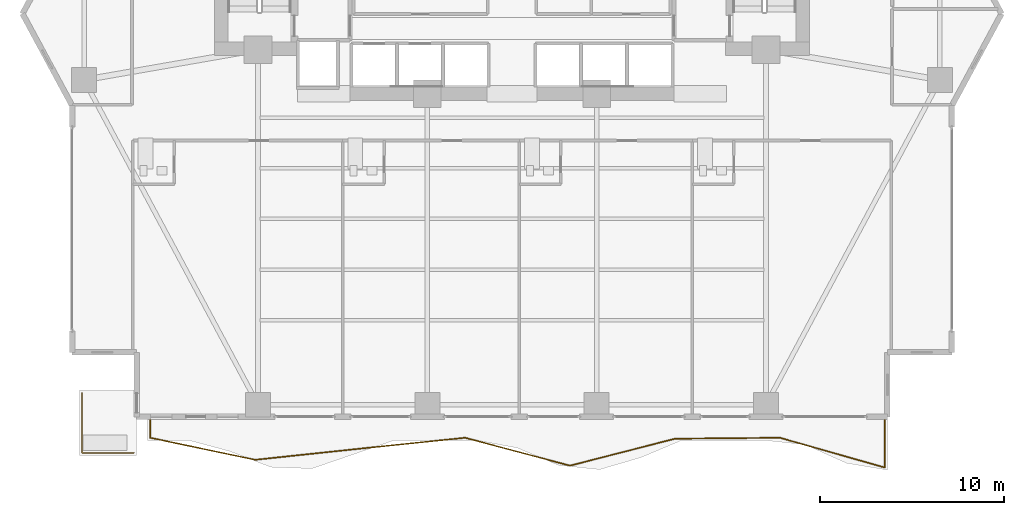
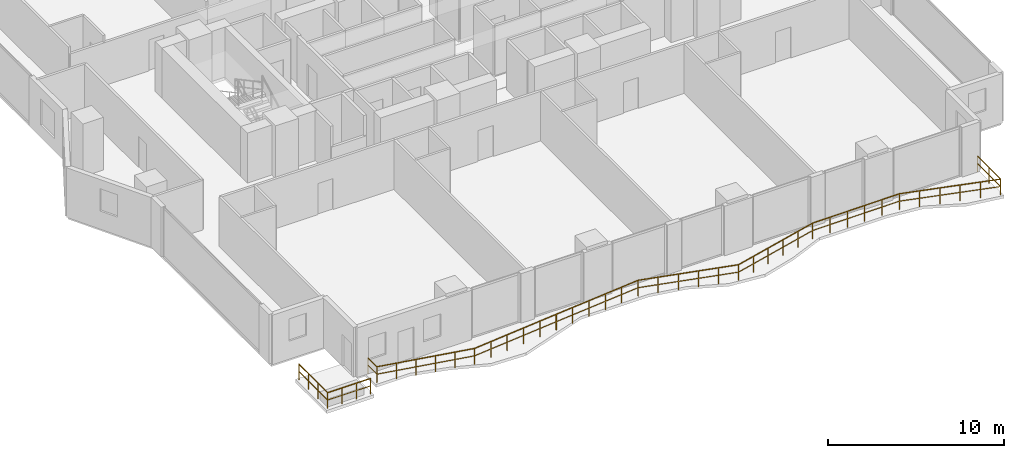
# One storey, part 25 of 28: 2 railings.
"""IFC4 building model written with IfcOpenShell, lengths in metres."""

from ifc_helpers import new_model, si_unit, direction, frame, origin, origin_2d, place, context, subcontext, project, spatial, rectangle, extrude, material, type_object, element, save


model = new_model("IFC4")

# Units and contexts
model_context = context("Model", 3, precision=1e-05, world=origin(), true_north=direction((0.0, 1.0)))
body_context = subcontext(model_context, "Body", "Model", "MODEL_VIEW")
ifc_project = project(units=[si_unit("LENGTHUNIT", "METRE"), si_unit("AREAUNIT", "SQUARE_METRE"), si_unit("VOLUMEUNIT", "CUBIC_METRE"), si_unit("PLANEANGLEUNIT", "RADIAN"), si_unit("MASSUNIT", "GRAM", prefix="KILO")], contexts=[model_context])

# Site, building, storey
site_placement = place(None, origin())
site = spatial("IfcSite", under=ifc_project, at=site_placement, CompositionType="ELEMENT")
building_placement = place(site_placement, origin())
building = spatial("IfcBuilding", under=site, at=building_placement, Name="Zuhayl Quay Hotel", CompositionType="ELEMENT")
storey_placement = place(building_placement, frame((0.0, 0.0, 121.199951171875)))
storey = spatial("IfcBuildingStorey", under=building, at=storey_placement, Name="L30", CompositionType="ELEMENT", Elevation=121.199951171875)

# Railings
ifc_material = material(Name="Anodised Aluminium and Laminated Glass", Category="aluminium")
railing_type = type_object("IfcRailingType", Name="RL_EXT_BAL_1100", PredefinedType="BALUSTRADE", material=ifc_material)
railing_1_placement = place(storey_placement, frame((-19.659912109375, -15.52001953125, 0.0)))
element("IfcRailing", 1, at=railing_1_placement, inside=storey, type_object=railing_type, Name="L30 Balcony and Terrace Guard GR_L30_BAL_S", PredefinedType="BALUSTRADE", context=body_context, shape_type="SweptSolid", body=[
    extrude(rectangle(XDim=0.048095703125, YDim=0.048095703125, at=origin_2d()), frame((0.0, 0.0, 1.09619140625), z_axis=(0.0, -1.0, 0.0), x_axis=(1.0, 0.0, 0.0)), (0.0, 0.0, 1.0), 1.02001953125),
    extrude(rectangle(XDim=0.0361328125, YDim=0.0361328125, at=origin_2d()), frame((0.0, 0.0, 0.58251953125), z_axis=(0.0, -1.0, 0.0), x_axis=(1.0, 0.0, 0.0)), (0.0, 0.0, 1.0), 1.02001953125),
    extrude(rectangle(XDim=0.048095703125, YDim=0.048095703125, at=origin_2d()), frame((0.0, -1.02001953125, 1.09619140625), z_axis=(0.978648356102, -0.205541711333, 0.0), x_axis=(0.205541711333, 0.978648356102, 0.0)), (0.0, 0.0, 1.0), 5.827392578125),
    extrude(rectangle(XDim=0.0361328125, YDim=0.0361328125, at=origin_2d()), frame((0.0, -1.02001953125, 0.58251953125), z_axis=(0.978648356102, -0.205541711333, 0.0), x_axis=(0.205541711333, 0.978648356102, 0.0)), (0.0, 0.0, 1.0), 5.827392578125),
    extrude(rectangle(XDim=0.048095703125, YDim=0.048095703125, at=origin_2d()), frame((5.702880859375, -2.2177734375, 1.09619140625), z_axis=(0.994401864138, 0.105664244661, 0.0), x_axis=(-0.105664244661, 0.994401864138, 0.0)), (0.0, 0.0, 1.0), 5.734619140625),
    extrude(rectangle(XDim=0.0361328125, YDim=0.0361328125, at=origin_2d()), frame((5.702880859375, -2.2177734375, 0.58251953125), z_axis=(0.994401864138, 0.105664244661, 0.0), x_axis=(-0.105664244661, 0.994401864138, 0.0)), (0.0, 0.0, 1.0), 5.734619140625),
    extrude(rectangle(XDim=0.048095703125, YDim=0.048095703125, at=origin_2d()), frame((11.405517578125, -1.61181640625, 1.09619140625), z_axis=(0.99465883003, 0.103217303994, 0.0), x_axis=(-0.103217303994, 0.99465883003, 0.0)), (0.0, 0.0, 1.0), 5.7333984375),
    extrude(rectangle(XDim=0.0361328125, YDim=0.0361328125, at=origin_2d()), frame((11.405517578125, -1.61181640625, 0.58251953125), z_axis=(0.99465883003, 0.103217303994, 0.0), x_axis=(-0.103217303994, 0.99465883003, 0.0)), (0.0, 0.0, 1.0), 5.7333984375),
    extrude(rectangle(XDim=0.048095703125, YDim=0.048095703125, at=origin_2d()), frame((17.1083984375, -1.02001953125, 1.09619140625), z_axis=(0.966461864669, -0.256810171411, 0.0), x_axis=(0.256810171411, 0.966461864669, 0.0)), (0.0, 0.0, 1.0), 5.90087890625),
    extrude(rectangle(XDim=0.0361328125, YDim=0.0361328125, at=origin_2d()), frame((17.1083984375, -1.02001953125, 0.58251953125), z_axis=(0.966461864669, -0.256810171411, 0.0), x_axis=(0.256810171411, 0.966461864669, 0.0)), (0.0, 0.0, 1.0), 5.90087890625),
    extrude(rectangle(XDim=0.048095703125, YDim=0.048095703125, at=origin_2d()), frame((22.811279296875, -2.535400390625, 1.09619140625), z_axis=(0.968628810221, 0.248512027897, 0.0), x_axis=(-0.248512027897, 0.968628810221, 0.0)), (0.0, 0.0, 1.0), 5.8876953125),
    extrude(rectangle(XDim=0.0361328125, YDim=0.0361328125, at=origin_2d()), frame((22.811279296875, -2.535400390625, 0.58251953125), z_axis=(0.968628810221, 0.248512027897, 0.0), x_axis=(-0.248512027897, 0.968628810221, 0.0)), (0.0, 0.0, 1.0), 5.8876953125),
    extrude(rectangle(XDim=0.048095703125, YDim=0.048095703125, at=origin_2d()), frame((28.51416015625, -1.072265625, 1.09619140625), z_axis=(0.999958037465, 0.009160966652, 0.0), x_axis=(-0.009160966652, 0.999958037465, 0.0)), (0.0, 0.0, 1.0), 5.703125),
    extrude(rectangle(XDim=0.0361328125, YDim=0.0361328125, at=origin_2d()), frame((28.51416015625, -1.072265625, 0.58251953125), z_axis=(0.999958037465, 0.009160966652, 0.0), x_axis=(-0.009160966652, 0.999958037465, 0.0)), (0.0, 0.0, 1.0), 5.703125),
    extrude(rectangle(XDim=0.048095703125, YDim=0.048095703125, at=origin_2d()), frame((34.217041015625, -1.02001953125, 1.09619140625), z_axis=(0.961957866491, -0.273197846068, 0.0), x_axis=(0.273197846068, 0.961957866491, 0.0)), (0.0, 0.0, 1.0), 5.928466796875),
    extrude(rectangle(XDim=0.0361328125, YDim=0.0361328125, at=origin_2d()), frame((34.217041015625, -1.02001953125, 0.58251953125), z_axis=(0.961957866491, -0.273197846068, 0.0), x_axis=(0.273197846068, 0.961957866491, 0.0)), (0.0, 0.0, 1.0), 5.928466796875),
    extrude(rectangle(XDim=0.048095703125, YDim=0.048095703125, at=origin_2d()), frame((39.919921875, -2.6396484375, 1.09619140625), z_axis=(0.0, 1.0, 0.0), x_axis=(-1.0, 0.0, 0.0)), (0.0, 0.0, 1.0), 2.6396484375),
    extrude(rectangle(XDim=0.0361328125, YDim=0.0361328125, at=origin_2d()), frame((39.919921875, -2.6396484375, 0.58251953125), z_axis=(0.0, 1.0, 0.0), x_axis=(-1.0, 0.0, 0.0)), (0.0, 0.0, 1.0), 2.6396484375),
    extrude(rectangle(XDim=0.0419921875, YDim=0.0419921875, at=origin_2d()), origin(), (0.0, 0.0, 1.0), 1.072021484375),
    extrude(rectangle(XDim=0.0419921875, YDim=0.0419921875, at=origin_2d()), frame((0.0, -1.02001953125, 0.0)), (0.0, 0.0, 1.0), 1.072021484375),
    extrude(rectangle(XDim=0.0419921875, YDim=0.0419921875, at=origin_2d()), frame((1.140625, -1.259521484375, 0.0)), (0.0, 0.0, 1.0), 1.072021484375),
    extrude(rectangle(XDim=0.0419921875, YDim=0.0419921875, at=origin_2d()), frame((2.28125, -1.4990234375, 0.0)), (0.0, 0.0, 1.0), 1.072021484375),
    extrude(rectangle(XDim=0.0419921875, YDim=0.0419921875, at=origin_2d()), frame((3.421630859375, -1.73876953125, 0.0)), (0.0, 0.0, 1.0), 1.072021484375),
    extrude(rectangle(XDim=0.0419921875, YDim=0.0419921875, at=origin_2d()), frame((4.562255859375, -1.978271484375, 0.0)), (0.0, 0.0, 1.0), 1.072021484375),
    extrude(rectangle(XDim=0.0419921875, YDim=0.0419921875, at=origin_2d()), frame((5.702880859375, -2.2177734375, 0.0)), (0.0, 0.0, 1.0), 1.072021484375),
    extrude(rectangle(XDim=0.0419921875, YDim=0.0419921875, at=origin_2d()), frame((6.843505859375, -2.0966796875, 0.0)), (0.0, 0.0, 1.0), 1.072021484375),
    extrude(rectangle(XDim=0.0419921875, YDim=0.0419921875, at=origin_2d()), frame((7.98388671875, -1.975341796875, 0.0)), (0.0, 0.0, 1.0), 1.072021484375),
    extrude(rectangle(XDim=0.0419921875, YDim=0.0419921875, at=origin_2d()), frame((9.12451171875, -1.854248046875, 0.0)), (0.0, 0.0, 1.0), 1.072021484375),
    extrude(rectangle(XDim=0.0419921875, YDim=0.0419921875, at=origin_2d()), frame((10.264892578125, -1.73291015625, 0.0)), (0.0, 0.0, 1.0), 1.072021484375),
    extrude(rectangle(XDim=0.0419921875, YDim=0.0419921875, at=origin_2d()), frame((11.405517578125, -1.61181640625, 0.0)), (0.0, 0.0, 1.0), 1.072021484375),
    extrude(rectangle(XDim=0.0419921875, YDim=0.0419921875, at=origin_2d()), frame((12.546142578125, -1.493408203125, 0.0)), (0.0, 0.0, 1.0), 1.072021484375),
    extrude(rectangle(XDim=0.0419921875, YDim=0.0419921875, at=origin_2d()), frame((13.686767578125, -1.375, 0.0)), (0.0, 0.0, 1.0), 1.072021484375),
    extrude(rectangle(XDim=0.0419921875, YDim=0.0419921875, at=origin_2d()), frame((14.8271484375, -1.2568359375, 0.0)), (0.0, 0.0, 1.0), 1.072021484375),
    extrude(rectangle(XDim=0.0419921875, YDim=0.0419921875, at=origin_2d()), frame((15.9677734375, -1.138427734375, 0.0)), (0.0, 0.0, 1.0), 1.072021484375),
    extrude(rectangle(XDim=0.0419921875, YDim=0.0419921875, at=origin_2d()), frame((17.1083984375, -1.02001953125, 0.0)), (0.0, 0.0, 1.0), 1.072021484375),
    extrude(rectangle(XDim=0.0419921875, YDim=0.0419921875, at=origin_2d()), frame((18.2490234375, -1.322998046875, 0.0)), (0.0, 0.0, 1.0), 1.072021484375),
    extrude(rectangle(XDim=0.0419921875, YDim=0.0419921875, at=origin_2d()), frame((19.3896484375, -1.626220703125, 0.0)), (0.0, 0.0, 1.0), 1.072021484375),
    extrude(rectangle(XDim=0.0419921875, YDim=0.0419921875, at=origin_2d()), frame((20.530029296875, -1.92919921875, 0.0)), (0.0, 0.0, 1.0), 1.072021484375),
    extrude(rectangle(XDim=0.0419921875, YDim=0.0419921875, at=origin_2d()), frame((21.670654296875, -2.232421875, 0.0)), (0.0, 0.0, 1.0), 1.072021484375),
    extrude(rectangle(XDim=0.0419921875, YDim=0.0419921875, at=origin_2d()), frame((22.811279296875, -2.535400390625, 0.0)), (0.0, 0.0, 1.0), 1.072021484375),
    extrude(rectangle(XDim=0.0419921875, YDim=0.0419921875, at=origin_2d()), frame((23.951904296875, -2.24267578125, 0.0)), (0.0, 0.0, 1.0), 1.072021484375),
    extrude(rectangle(XDim=0.0419921875, YDim=0.0419921875, at=origin_2d()), frame((25.092529296875, -1.9501953125, 0.0)), (0.0, 0.0, 1.0), 1.072021484375),
    extrude(rectangle(XDim=0.0419921875, YDim=0.0419921875, at=origin_2d()), frame((26.23291015625, -1.657470703125, 0.0)), (0.0, 0.0, 1.0), 1.072021484375),
    extrude(rectangle(XDim=0.0419921875, YDim=0.0419921875, at=origin_2d()), frame((27.37353515625, -1.364990234375, 0.0)), (0.0, 0.0, 1.0), 1.072021484375),
    extrude(rectangle(XDim=0.0419921875, YDim=0.0419921875, at=origin_2d()), frame((28.51416015625, -1.072265625, 0.0)), (0.0, 0.0, 1.0), 1.072021484375),
    extrude(rectangle(XDim=0.0419921875, YDim=0.0419921875, at=origin_2d()), frame((29.65478515625, -1.061767578125, 0.0)), (0.0, 0.0, 1.0), 1.072021484375),
    extrude(rectangle(XDim=0.0419921875, YDim=0.0419921875, at=origin_2d()), frame((30.79541015625, -1.05126953125, 0.0)), (0.0, 0.0, 1.0), 1.072021484375),
    extrude(rectangle(XDim=0.0419921875, YDim=0.0419921875, at=origin_2d()), frame((31.935791015625, -1.041015625, 0.0)), (0.0, 0.0, 1.0), 1.072021484375),
    extrude(rectangle(XDim=0.0419921875, YDim=0.0419921875, at=origin_2d()), frame((33.076416015625, -1.030517578125, 0.0)), (0.0, 0.0, 1.0), 1.072021484375),
    extrude(rectangle(XDim=0.0419921875, YDim=0.0419921875, at=origin_2d()), frame((34.217041015625, -1.02001953125, 0.0)), (0.0, 0.0, 1.0), 1.072021484375),
    extrude(rectangle(XDim=0.0419921875, YDim=0.0419921875, at=origin_2d()), frame((35.357666015625, -1.343994140625, 0.0)), (0.0, 0.0, 1.0), 1.072021484375),
    extrude(rectangle(XDim=0.0419921875, YDim=0.0419921875, at=origin_2d()), frame((36.498291015625, -1.66796875, 0.0)), (0.0, 0.0, 1.0), 1.072021484375),
    extrude(rectangle(XDim=0.0419921875, YDim=0.0419921875, at=origin_2d()), frame((37.638671875, -1.99169921875, 0.0)), (0.0, 0.0, 1.0), 1.072021484375),
    extrude(rectangle(XDim=0.0419921875, YDim=0.0419921875, at=origin_2d()), frame((38.779296875, -2.315673828125, 0.0)), (0.0, 0.0, 1.0), 1.072021484375),
    extrude(rectangle(XDim=0.0419921875, YDim=0.0419921875, at=origin_2d()), frame((39.919921875, -2.6396484375, 0.0)), (0.0, 0.0, 1.0), 1.072021484375),
    extrude(rectangle(XDim=0.0419921875, YDim=0.0419921875, at=origin_2d()), frame((39.919921875, -1.31982421875, 0.0)), (0.0, 0.0, 1.0), 1.072021484375),
    extrude(rectangle(XDim=0.0419921875, YDim=0.0419921875, at=origin_2d()), frame((39.919921875, 0.0, 0.0)), (0.0, 0.0, 1.0), 1.072021484375),
])
railing_2_placement = place(storey_placement, frame((-23.360107421875, -14.090087890625, 0.0)))
element("IfcRailing", 2, at=railing_2_placement, inside=storey, type_object=railing_type, Name="L30 Balcony and Terrace Guard GR_L30_SPIRAL_SW", PredefinedType="BALUSTRADE", context=body_context, shape_type="SweptSolid", body=[
    extrude(rectangle(XDim=0.048095703125, YDim=0.048095703125, at=origin_2d()), frame((0.0, 0.0, 1.09619140625), z_axis=(0.0, -1.0, 0.0), x_axis=(1.0, 0.0, 0.0)), (0.0, 0.0, 1.0), 3.27001953125),
    extrude(rectangle(XDim=0.0361328125, YDim=0.0361328125, at=origin_2d()), frame((0.0, 0.0, 0.58251953125), z_axis=(0.0, -1.0, 0.0), x_axis=(1.0, 0.0, 0.0)), (0.0, 0.0, 1.0), 3.27001953125),
    extrude(rectangle(XDim=0.048095703125, YDim=0.048095703125, at=origin_2d()), frame((0.0, -3.27001953125, 1.09619140625), z_axis=(1.0, 0.0, 0.0), x_axis=(0.0, 1.0, 0.0)), (0.0, 0.0, 1.0), 2.820068359375),
    extrude(rectangle(XDim=0.0361328125, YDim=0.0361328125, at=origin_2d()), frame((0.0, -3.27001953125, 0.58251953125), z_axis=(1.0, 0.0, 0.0), x_axis=(0.0, 1.0, 0.0)), (0.0, 0.0, 1.0), 2.820068359375),
    extrude(rectangle(XDim=0.0419921875, YDim=0.0419921875, at=origin_2d()), origin(), (0.0, 0.0, 1.0), 1.072021484375),
    extrude(rectangle(XDim=0.0419921875, YDim=0.0419921875, at=origin_2d()), frame((0.0, -1.090087890625, 0.0)), (0.0, 0.0, 1.0), 1.072021484375),
    extrude(rectangle(XDim=0.0419921875, YDim=0.0419921875, at=origin_2d()), frame((0.0, -2.179931640625, 0.0)), (0.0, 0.0, 1.0), 1.072021484375),
    extrude(rectangle(XDim=0.0419921875, YDim=0.0419921875, at=origin_2d()), frame((0.0, -3.27001953125, 0.0)), (0.0, 0.0, 1.0), 1.072021484375),
    extrude(rectangle(XDim=0.0419921875, YDim=0.0419921875, at=origin_2d()), frame((0.93994140625, -3.27001953125, 0.0)), (0.0, 0.0, 1.0), 1.072021484375),
    extrude(rectangle(XDim=0.0419921875, YDim=0.0419921875, at=origin_2d()), frame((1.880126953125, -3.27001953125, 0.0)), (0.0, 0.0, 1.0), 1.072021484375),
    extrude(rectangle(XDim=0.0419921875, YDim=0.0419921875, at=origin_2d()), frame((2.820068359375, -3.27001953125, 0.0)), (0.0, 0.0, 1.0), 1.072021484375),
])

save(model, "model.ifc")
